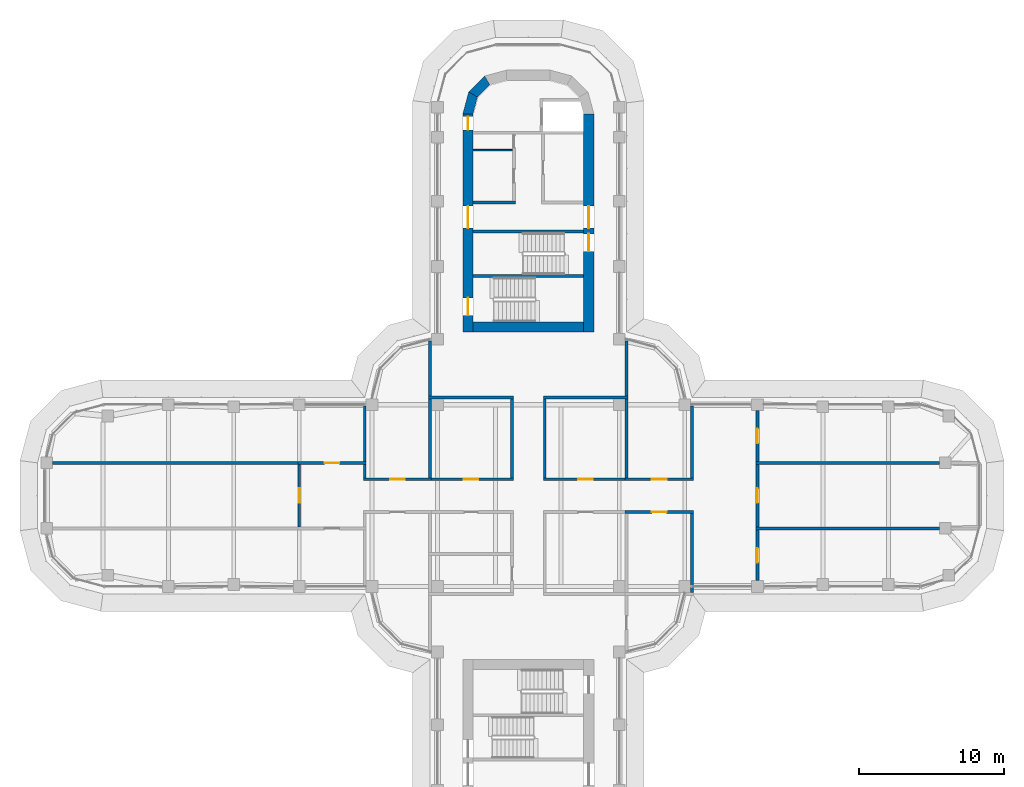
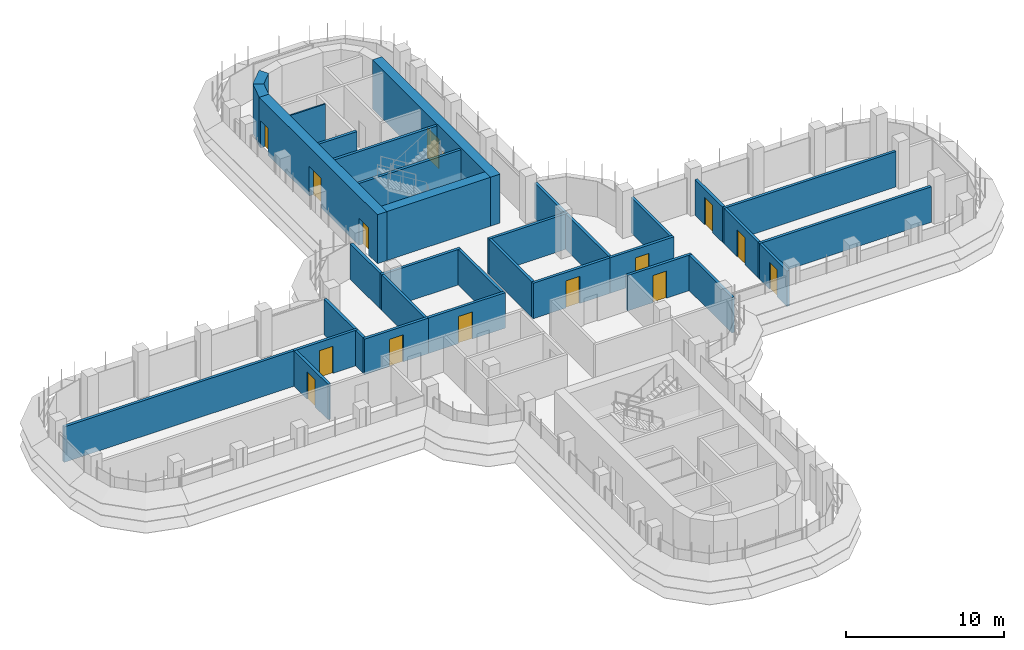
# One storey, part 14 of 19: 34 walls, 15 doors, 15 openings.
"""IFC4 building model written with IfcOpenShell, lengths in metres."""

from ifc_helpers import new_model, si_unit, direction, frame, frame_2d, origin, place, context, subcontext, project, spatial, polyline, rectangle, outline, extrude, material, layer, layer_set, type_object, element, fill, save


model = new_model("IFC4")

# Units and contexts
model_context = context("Model", 3, precision=1e-05, world=origin(), true_north=direction((0.0, 1.0)))
body_context = subcontext(model_context, "Body", "Model", "MODEL_VIEW")
ifc_project = project(units=[si_unit("LENGTHUNIT", "METRE"), si_unit("AREAUNIT", "SQUARE_METRE"), si_unit("VOLUMEUNIT", "CUBIC_METRE"), si_unit("PLANEANGLEUNIT", "RADIAN"), si_unit("MASSUNIT", "GRAM", prefix="KILO")], contexts=[model_context])

# Site, building, storey
site_placement = place(None, origin())
site = spatial("IfcSite", under=ifc_project, at=site_placement, CompositionType="ELEMENT")
building_placement = place(site_placement, origin())
building = spatial("IfcBuilding", under=site, at=building_placement, Name="Zarbagh Exchange Tower", CompositionType="ELEMENT")
storey_placement = place(building_placement, frame((0.0, 0.0, 175.199951171875)))
storey = spatial("IfcBuildingStorey", under=building, at=storey_placement, Name="L42", CompositionType="ELEMENT", Elevation=175.199951171875)

# Wall
ifc_material_1 = material(Name="Dense blockwork", Category="masonry")
ifc_layer_1 = layer(ifc_material_1, 0.10009765625)
ifc_layer_set_1 = layer_set([ifc_layer_1], Name="Core partition 100 mm blockwork")
wall_type_1 = type_object("IfcWallType", Name="Core partition 100 mm blockwork", PredefinedType="PARTITIONING", material=ifc_layer_set_1)
wall_1_placement = place(storey_placement, frame((-3.800048828125, 23.75, 0.0), z_axis=(0.0, 0.0, 1.0), x_axis=(1.0, 0.0, 0.0)))
element("IfcWall", 1, at=wall_1_placement, inside=storey, type_object=wall_type_1, Name="North core partition wall CUT-W-460", PredefinedType="PARTITIONING", context=body_context, shape_type="SweptSolid", body=[
    extrude(rectangle(XDim=2.699951171875, YDim=0.10009765625, at=frame_2d((1.35009765625, 0.0))), origin(), (0.0, 0.0, 1.0), 3.650146484375),
])

# Wall, opening, door
ifc_material_2 = material(Name="Fire-rated plasterboard partition")
ifc_layer_2 = layer(ifc_material_2, 0.199951171875)
ifc_layer_set_2 = layer_set([ifc_layer_2], Name="RATED PARTITION 200")
wall_type_2 = type_object("IfcWallType", Name="RATED PARTITION 200", PredefinedType="PARTITIONING", material=ifc_layer_set_2)
wall_2_placement = place(storey_placement, frame((1.02490234375, 1.125, 0.0), z_axis=(0.0, 0.0, 1.0), x_axis=(1.0, 0.0, 0.0)))
wall_2 = element("IfcWall", 2, at=wall_2_placement, inside=storey, type_object=wall_type_2, Name="Partition W-1801", PredefinedType="PARTITIONING", context=body_context, shape_type="SweptSolid", body=[
    extrude(rectangle(XDim=5.8251953125, YDim=0.199951171875, at=frame_2d((2.91259765625, 0.0))), origin(), (0.0, 0.0, 1.0), 2.75),
])
opening_1_placement = place(wall_2_placement, frame((2.41259765625, 0.0, 0.0)))
opening_1 = element("IfcOpeningElement", 3, at=opening_1_placement, cuts=wall_2, Name="Opening D-1804", PredefinedType="OPENING", context=body_context, shape_type="SweptSolid", body=[
    extrude(rectangle(XDim=1.0, YDim=2.10009765625, at=frame_2d((0.5, 1.050048828125))), frame((0.0, 0.10986328125, 0.0), z_axis=(0.0, -1.0, 0.0), x_axis=(1.0, 0.0, 0.0)), (0.0, 0.0, 1.0), 0.219970703125),
])
ifc_material_3 = material(Name="Steel door set", Category="steel")
door_type_1 = type_object("IfcDoorType", Name="FIRE DOOR 1000 X 2100 FD30S", OperationType="NOTDEFINED", PredefinedType="DOOR", material=ifc_material_3)
door_1_placement = place(opening_1_placement, origin())
door_1 = element("IfcDoor", 4, at=door_1_placement, inside=storey, type_object=door_type_1, Name="Door D-1804", OperationType="SINGLE_SWING_RIGHT", OverallHeight=2.10009765625, OverallWidth=1.0, PredefinedType="DOOR", context=body_context, shape_type="SweptSolid", body=[
    extrude(rectangle(XDim=1.0, YDim=2.10009765625, at=frame_2d((0.5, 1.050048828125))), frame((0.0, 0.02490234375, 0.0), z_axis=(0.0, -1.0, 0.0), x_axis=(1.0, 0.0, 0.0)), (0.0, 0.0, 1.0), 0.050048828125),
])
fill(opening_1, door_1)

wall_3_placement = place(storey_placement, frame((6.64990234375, 1.125, 0.0), z_axis=(0.0, 0.0, 1.0), x_axis=(1.0, 0.0, 0.0)))
wall_3 = element("IfcWall", 5, at=wall_3_placement, inside=storey, type_object=wall_type_2, Name="Partition W-1802", PredefinedType="PARTITIONING", context=body_context, shape_type="SweptSolid", body=[
    extrude(rectangle(XDim=4.7001953125, YDim=0.199951171875, at=frame_2d((2.35009765625, 0.0))), origin(), (0.0, 0.0, 1.0), 2.75),
])
opening_2_placement = place(wall_3_placement, frame((1.85009765625, 0.0, 0.0)))
opening_2 = element("IfcOpeningElement", 6, at=opening_2_placement, cuts=wall_3, Name="Opening D-1805", PredefinedType="OPENING", context=body_context, shape_type="SweptSolid", body=[
    extrude(rectangle(XDim=1.0, YDim=2.10009765625, at=frame_2d((0.5, 1.050048828125))), frame((0.0, 0.10986328125, 0.0), z_axis=(0.0, -1.0, 0.0), x_axis=(1.0, 0.0, 0.0)), (0.0, 0.0, 1.0), 0.219970703125),
])
door_2_placement = place(opening_2_placement, origin())
door_2 = element("IfcDoor", 7, at=door_2_placement, inside=storey, type_object=door_type_1, Name="Door D-1805", OperationType="SINGLE_SWING_RIGHT", OverallHeight=2.10009765625, OverallWidth=1.0, PredefinedType="DOOR", context=body_context, shape_type="SweptSolid", body=[
    extrude(rectangle(XDim=1.0, YDim=2.10009765625, at=frame_2d((0.5, 1.050048828125))), frame((0.0, 0.02490234375, 0.0), z_axis=(0.0, -1.0, 0.0), x_axis=(1.0, 0.0, 0.0)), (0.0, 0.0, 1.0), 0.050048828125),
])
fill(opening_2, door_2)

wall_4_placement = place(storey_placement, frame((-6.85009765625, 1.125, 0.0), z_axis=(0.0, 0.0, 1.0), x_axis=(1.0, 0.0, 0.0)))
wall_4 = element("IfcWall", 8, at=wall_4_placement, inside=storey, type_object=wall_type_2, Name="Partition W-1803", PredefinedType="PARTITIONING", context=body_context, shape_type="SweptSolid", body=[
    extrude(rectangle(XDim=5.8251953125, YDim=0.199951171875, at=frame_2d((2.91259765625, 0.0))), origin(), (0.0, 0.0, 1.0), 2.75),
])
opening_3_placement = place(wall_4_placement, frame((2.41259765625, 0.0, 0.0)))
opening_3 = element("IfcOpeningElement", 9, at=opening_3_placement, cuts=wall_4, Name="Opening D-1806", PredefinedType="OPENING", context=body_context, shape_type="SweptSolid", body=[
    extrude(rectangle(XDim=1.0, YDim=2.10009765625, at=frame_2d((0.5, 1.050048828125))), frame((0.0, 0.10986328125, 0.0), z_axis=(0.0, -1.0, 0.0), x_axis=(1.0, 0.0, 0.0)), (0.0, 0.0, 1.0), 0.219970703125),
])
door_3_placement = place(opening_3_placement, origin())
door_3 = element("IfcDoor", 10, at=door_3_placement, inside=storey, type_object=door_type_1, Name="Door D-1806", OperationType="SINGLE_SWING_RIGHT", OverallHeight=2.10009765625, OverallWidth=1.0, PredefinedType="DOOR", context=body_context, shape_type="SweptSolid", body=[
    extrude(rectangle(XDim=1.0, YDim=2.10009765625, at=frame_2d((0.5, 1.050048828125))), frame((0.0, 0.02490234375, 0.0), z_axis=(0.0, -1.0, 0.0), x_axis=(1.0, 0.0, 0.0)), (0.0, 0.0, 1.0), 0.050048828125),
])
fill(opening_3, door_3)

wall_5_placement = place(storey_placement, frame((-11.35009765625, 1.125, 0.0), z_axis=(0.0, 0.0, 1.0), x_axis=(1.0, 0.0, 0.0)))
wall_5 = element("IfcWall", 11, at=wall_5_placement, inside=storey, type_object=wall_type_2, Name="Partition W-1804", PredefinedType="PARTITIONING", context=body_context, shape_type="SweptSolid", body=[
    extrude(rectangle(XDim=4.7001953125, YDim=0.199951171875, at=frame_2d((2.35009765625, 0.0))), origin(), (0.0, 0.0, 1.0), 2.75),
])
opening_4_placement = place(wall_5_placement, frame((1.85009765625, 0.0, 0.0)))
opening_4 = element("IfcOpeningElement", 12, at=opening_4_placement, cuts=wall_5, Name="Opening D-1807", PredefinedType="OPENING", context=body_context, shape_type="SweptSolid", body=[
    extrude(rectangle(XDim=1.0, YDim=2.10009765625, at=frame_2d((0.5, 1.050048828125))), frame((0.0, 0.10986328125, 0.0), z_axis=(0.0, -1.0, 0.0), x_axis=(1.0, 0.0, 0.0)), (0.0, 0.0, 1.0), 0.219970703125),
])
door_4_placement = place(opening_4_placement, origin())
door_4 = element("IfcDoor", 13, at=door_4_placement, inside=storey, type_object=door_type_1, Name="Door D-1807", OperationType="SINGLE_SWING_RIGHT", OverallHeight=2.10009765625, OverallWidth=1.0, PredefinedType="DOOR", context=body_context, shape_type="SweptSolid", body=[
    extrude(rectangle(XDim=1.0, YDim=2.10009765625, at=frame_2d((0.5, 1.050048828125))), frame((0.0, 0.02490234375, 0.0), z_axis=(0.0, -1.0, 0.0), x_axis=(1.0, 0.0, 0.0)), (0.0, 0.0, 1.0), 0.050048828125),
])
fill(opening_4, door_4)

wall_6_placement = place(storey_placement, frame((11.35009765625, -1.125, 0.0), z_axis=(0.0, 0.0, 1.0), x_axis=(-1.0, 0.0, 0.0)))
wall_6 = element("IfcWall", 14, at=wall_6_placement, inside=storey, type_object=wall_type_2, Name="Partition W-1806", PredefinedType="PARTITIONING", context=body_context, shape_type="SweptSolid", body=[
    extrude(rectangle(XDim=4.7001953125, YDim=0.199951171875, at=frame_2d((2.35009765625, 0.0))), origin(), (0.0, 0.0, 1.0), 2.75),
])
opening_5_placement = place(wall_6_placement, frame((1.85009765625, 0.0, 0.0)))
opening_5 = element("IfcOpeningElement", 15, at=opening_5_placement, cuts=wall_6, Name="Opening D-1809", PredefinedType="OPENING", context=body_context, shape_type="SweptSolid", body=[
    extrude(rectangle(XDim=1.0, YDim=2.10009765625, at=frame_2d((0.5, 1.050048828125))), frame((0.0, 0.10986328125, 0.0), z_axis=(0.0, -1.0, 0.0), x_axis=(1.0, 0.0, 0.0)), (0.0, 0.0, 1.0), 0.219970703125),
])
door_5_placement = place(opening_5_placement, origin())
door_5 = element("IfcDoor", 16, at=door_5_placement, inside=storey, type_object=door_type_1, Name="Door D-1809", OperationType="SINGLE_SWING_RIGHT", OverallHeight=2.10009765625, OverallWidth=1.0, PredefinedType="DOOR", context=body_context, shape_type="SweptSolid", body=[
    extrude(rectangle(XDim=1.0, YDim=2.10009765625, at=frame_2d((0.5, 1.050048828125))), frame((0.0, 0.02490234375, 0.0), z_axis=(0.0, -1.0, 0.0), x_axis=(1.0, 0.0, 0.0)), (0.0, 0.0, 1.0), 0.050048828125),
])
fill(opening_5, door_5)

# Walls
for number, where, z_axis, x_axis, name in (
    (17, (1.125, 1.22509765625, 0.0), (0.0, 0.0, 1.0), (0.0, 1.0, 0.0), "Partition W-1809"),
    (18, (-1.125, 1.22509765625, 0.0), (0.0, 0.0, 1.0), (0.0, 1.0, 0.0), "Partition W-1810"),
):
    element("IfcWall", number, at=place(storey_placement, frame(where, z_axis=z_axis, x_axis=x_axis)), inside=storey, type_object=wall_type_2, Name=name, PredefinedType="PARTITIONING", context=body_context, shape_type="SweptSolid", body=[
        extrude(rectangle(XDim=5.4248046875, YDim=0.199951171875, at=frame_2d((2.71240234375, 0.0))), origin(), (0.0, 0.0, 1.0), 2.75),
    ])
wall_7_placement = place(storey_placement, frame((1.02490234375, 6.75, 0.0), z_axis=(0.0, 0.0, 1.0), x_axis=(1.0, 0.0, 0.0)))
element("IfcWall", 19, at=wall_7_placement, inside=storey, type_object=wall_type_2, Name="Partition W-1814", PredefinedType="PARTITIONING", context=body_context, shape_type="SweptSolid", body=[
    extrude(rectangle(XDim=5.8251953125, YDim=0.199951171875, at=frame_2d((2.91259765625, 0.0))), origin(), (0.0, 0.0, 1.0), 2.75),
])
wall_8_placement = place(storey_placement, frame((6.75, 6.85009765625, 0.0), z_axis=(0.0, 0.0, 1.0), x_axis=(0.0, 1.0, 0.0)))
element("IfcWall", 20, at=wall_8_placement, inside=storey, type_object=wall_type_2, Name="Partition W-1815", PredefinedType="PARTITIONING", context=body_context, shape_type="SweptSolid", body=[
    extrude(rectangle(XDim=3.77978515625, YDim=0.199951171875, at=frame_2d((1.889892578125, 0.0))), origin(), (0.0, 0.0, 1.0), 2.75),
])
wall_9_placement = place(storey_placement, frame((-6.85009765625, 6.75, 0.0), z_axis=(0.0, 0.0, 1.0), x_axis=(1.0, 0.0, 0.0)))
element("IfcWall", 21, at=wall_9_placement, inside=storey, type_object=wall_type_2, Name="Partition W-1816", PredefinedType="PARTITIONING", context=body_context, shape_type="SweptSolid", body=[
    extrude(rectangle(XDim=5.8251953125, YDim=0.199951171875, at=frame_2d((2.91259765625, 0.0))), origin(), (0.0, 0.0, 1.0), 2.75),
])
wall_10_placement = place(storey_placement, frame((-6.75, 6.85009765625, 0.0), z_axis=(0.0, 0.0, 1.0), x_axis=(0.0, 1.0, 0.0)))
element("IfcWall", 22, at=wall_10_placement, inside=storey, type_object=wall_type_2, Name="Partition W-1817", PredefinedType="PARTITIONING", context=body_context, shape_type="SweptSolid", body=[
    extrude(rectangle(XDim=3.77978515625, YDim=0.199951171875, at=frame_2d((1.889892578125, 0.0))), origin(), (0.0, 0.0, 1.0), 2.75),
])
wall_11_placement = place(storey_placement, frame((6.75, 1.22509765625, 0.0), z_axis=(0.0, 0.0, 1.0), x_axis=(0.0, 1.0, 0.0)))
element("IfcWall", 23, at=wall_11_placement, inside=storey, type_object=wall_type_2, Name="Partition W-1822", PredefinedType="PARTITIONING", context=body_context, shape_type="SweptSolid", body=[
    extrude(rectangle(XDim=5.4248046875, YDim=0.199951171875, at=frame_2d((2.71240234375, 0.0))), origin(), (0.0, 0.0, 1.0), 2.75),
])
wall_12_placement = place(storey_placement, frame((11.25, 1.22509765625, 0.0), z_axis=(0.0, 0.0, 1.0), x_axis=(0.0, 1.0, 0.0)))
element("IfcWall", 24, at=wall_12_placement, inside=storey, type_object=wall_type_2, Name="Partition W-1823", PredefinedType="PARTITIONING", context=body_context, shape_type="SweptSolid", body=[
    extrude(rectangle(XDim=4.94482421875, YDim=0.199951171875, at=frame_2d((2.472412109375, 0.0))), origin(), (0.0, 0.0, 1.0), 2.75),
])
wall_13_placement = place(storey_placement, frame((-6.75, 1.22509765625, 0.0), z_axis=(0.0, 0.0, 1.0), x_axis=(0.0, 1.0, 0.0)))
element("IfcWall", 25, at=wall_13_placement, inside=storey, type_object=wall_type_2, Name="Partition W-1824", PredefinedType="PARTITIONING", context=body_context, shape_type="SweptSolid", body=[
    extrude(rectangle(XDim=5.4248046875, YDim=0.199951171875, at=frame_2d((2.71240234375, 0.0))), origin(), (0.0, 0.0, 1.0), 2.75),
])
wall_14_placement = place(storey_placement, frame((-11.25, 1.22509765625, 0.0), z_axis=(0.0, 0.0, 1.0), x_axis=(0.0, 1.0, 0.0)))
element("IfcWall", 26, at=wall_14_placement, inside=storey, type_object=wall_type_2, Name="Partition W-1825", PredefinedType="PARTITIONING", context=body_context, shape_type="SweptSolid", body=[
    extrude(rectangle(XDim=0.9248046875, YDim=0.199951171875, at=frame_2d((0.46240234375, 0.0))), origin(), (0.0, 0.0, 1.0), 2.75),
])
wall_15_placement = place(storey_placement, frame((-11.25, 2.35009765625, 0.0), z_axis=(0.0, 0.0, 1.0), x_axis=(0.0, 1.0, 0.0)))
element("IfcWall", 27, at=wall_15_placement, inside=storey, type_object=wall_type_2, Name="Partition W-1826", PredefinedType="PARTITIONING", context=body_context, shape_type="SweptSolid", body=[
    extrude(rectangle(XDim=3.81982421875, YDim=0.199951171875, at=frame_2d((1.909912109375, 0.0))), origin(), (0.0, 0.0, 1.0), 2.75),
])
wall_16_placement = place(storey_placement, frame((11.25, -6.64990234375, 0.0), z_axis=(0.0, 0.0, 1.0), x_axis=(0.0, 1.0, 0.0)))
element("IfcWall", 28, at=wall_16_placement, inside=storey, type_object=wall_type_2, Name="Partition W-1829", PredefinedType="PARTITIONING", context=body_context, shape_type="SweptSolid", body=[
    extrude(rectangle(XDim=5.4248046875, YDim=0.199951171875, at=frame_2d((2.71240234375, 0.0))), origin(), (0.0, 0.0, 1.0), 2.75),
])

# Wall, opening, door
wall_17_placement = place(storey_placement, frame((15.75, -2.35009765625, 0.0), z_axis=(0.0, 0.0, 1.0), x_axis=(0.0, -1.0, 0.0)))
wall_17 = element("IfcWall", 29, at=wall_17_placement, inside=storey, type_object=wall_type_2, Name="Partition W-1835", PredefinedType="PARTITIONING", context=body_context, shape_type="SweptSolid", body=[
    extrude(rectangle(XDim=3.5, YDim=0.199951171875, at=frame_2d((1.75, 0.0))), origin(), (0.0, 0.0, 1.0), 2.75),
])
opening_6_placement = place(wall_17_placement, frame((1.25, 0.0, 0.0)))
opening_6 = element("IfcOpeningElement", 30, at=opening_6_placement, cuts=wall_17, Name="Opening D-1801", PredefinedType="OPENING", context=body_context, shape_type="SweptSolid", body=[
    extrude(rectangle(XDim=1.0, YDim=2.10009765625, at=frame_2d((0.5, 1.050048828125))), frame((0.0, 0.10986328125, 0.0), z_axis=(0.0, -1.0, 0.0), x_axis=(1.0, 0.0, 0.0)), (0.0, 0.0, 1.0), 0.219970703125),
])
door_6_placement = place(opening_6_placement, origin())
door_6 = element("IfcDoor", 31, at=door_6_placement, inside=storey, type_object=door_type_1, Name="Door D-1801", OperationType="SINGLE_SWING_LEFT", OverallHeight=2.10009765625, OverallWidth=1.0, PredefinedType="DOOR", context=body_context, shape_type="SweptSolid", body=[
    extrude(rectangle(XDim=1.0, YDim=2.10009765625, at=frame_2d((0.5, 1.050048828125))), frame((0.0, 0.02490234375, 0.0), z_axis=(0.0, -1.0, 0.0), x_axis=(1.0, 0.0, 0.0)), (0.0, 0.0, 1.0), 0.050048828125),
])
fill(opening_6, door_6)

wall_18_placement = place(storey_placement, frame((15.75, 2.14990234375, 0.0), z_axis=(0.0, 0.0, 1.0), x_axis=(0.0, -1.0, 0.0)))
wall_18 = element("IfcWall", 32, at=wall_18_placement, inside=storey, type_object=wall_type_2, Name="Partition W-1836", PredefinedType="PARTITIONING", context=body_context, shape_type="SweptSolid", body=[
    extrude(rectangle(XDim=4.2998046875, YDim=0.199951171875, at=frame_2d((2.14990234375, 0.0))), origin(), (0.0, 0.0, 1.0), 2.75),
])
opening_7_placement = place(wall_18_placement, frame((1.64990234375, 0.0, 0.0)))
opening_7 = element("IfcOpeningElement", 33, at=opening_7_placement, cuts=wall_18, Name="Opening D-1802", PredefinedType="OPENING", context=body_context, shape_type="SweptSolid", body=[
    extrude(rectangle(XDim=1.0, YDim=2.10009765625, at=frame_2d((0.5, 1.050048828125))), frame((0.0, 0.10986328125, 0.0), z_axis=(0.0, -1.0, 0.0), x_axis=(1.0, 0.0, 0.0)), (0.0, 0.0, 1.0), 0.219970703125),
])
door_7_placement = place(opening_7_placement, origin())
door_7 = element("IfcDoor", 34, at=door_7_placement, inside=storey, type_object=door_type_1, Name="Door D-1802", OperationType="SINGLE_SWING_RIGHT", OverallHeight=2.10009765625, OverallWidth=1.0, PredefinedType="DOOR", context=body_context, shape_type="SweptSolid", body=[
    extrude(rectangle(XDim=1.0, YDim=2.10009765625, at=frame_2d((0.5, 1.050048828125))), frame((0.0, 0.02490234375, 0.0), z_axis=(0.0, -1.0, 0.0), x_axis=(1.0, 0.0, 0.0)), (0.0, 0.0, 1.0), 0.050048828125),
])
fill(opening_7, door_7)

wall_19_placement = place(storey_placement, frame((15.75, 5.85009765625, 0.0), z_axis=(0.0, 0.0, 1.0), x_axis=(0.0, -1.0, 0.0)))
wall_19 = element("IfcWall", 35, at=wall_19_placement, inside=storey, type_object=wall_type_2, Name="Partition W-1837", PredefinedType="PARTITIONING", context=body_context, shape_type="SweptSolid", body=[
    extrude(rectangle(XDim=3.5, YDim=0.199951171875, at=frame_2d((1.75, 0.0))), origin(), (0.0, 0.0, 1.0), 2.75),
])
opening_8_placement = place(wall_19_placement, frame((1.25, 0.0, 0.0)))
opening_8 = element("IfcOpeningElement", 36, at=opening_8_placement, cuts=wall_19, Name="Opening D-1803", PredefinedType="OPENING", context=body_context, shape_type="SweptSolid", body=[
    extrude(rectangle(XDim=1.0, YDim=2.10009765625, at=frame_2d((0.5, 1.050048828125))), frame((0.0, 0.10986328125, 0.0), z_axis=(0.0, -1.0, 0.0), x_axis=(1.0, 0.0, 0.0)), (0.0, 0.0, 1.0), 0.219970703125),
])
door_8_placement = place(opening_8_placement, origin())
door_8 = element("IfcDoor", 37, at=door_8_placement, inside=storey, type_object=door_type_1, Name="Door D-1803", OperationType="SINGLE_SWING_RIGHT", OverallHeight=2.10009765625, OverallWidth=1.0, PredefinedType="DOOR", context=body_context, shape_type="SweptSolid", body=[
    extrude(rectangle(XDim=1.0, YDim=2.10009765625, at=frame_2d((0.5, 1.050048828125))), frame((0.0, 0.02490234375, 0.0), z_axis=(0.0, -1.0, 0.0), x_axis=(1.0, 0.0, 0.0)), (0.0, 0.0, 1.0), 0.050048828125),
])
fill(opening_8, door_8)

# Walls
for number, where, z_axis, x_axis, name in (
    (38, (15.64990234375, -2.25, 0.0), (0.0, 0.0, 1.0), (1.0, 0.0, 0.0), "Partition W-1838"),
    (39, (15.64990234375, 2.25, 0.0), (0.0, 0.0, 1.0), (1.0, 0.0, 0.0), "Partition W-1840"),
):
    element("IfcWall", number, at=place(storey_placement, frame(where, z_axis=z_axis, x_axis=x_axis)), inside=storey, type_object=wall_type_2, Name=name, PredefinedType="PARTITIONING", context=body_context, shape_type="SweptSolid", body=[
        extrude(rectangle(XDim=12.6201171875, YDim=0.199951171875, at=frame_2d((6.31005859375, 0.0))), origin(), (0.0, 0.0, 1.0), 2.75),
    ])

# Wall, opening, door
wall_20_placement = place(storey_placement, frame((-15.85009765625, 2.25, 0.0), z_axis=(0.0, 0.0, 1.0), x_axis=(1.0, 0.0, 0.0)))
wall_20 = element("IfcWall", 40, at=wall_20_placement, inside=storey, type_object=wall_type_2, Name="Partition W-1842", PredefinedType="PARTITIONING", context=body_context, shape_type="SweptSolid", body=[
    extrude(rectangle(XDim=4.7001953125, YDim=0.199951171875, at=frame_2d((2.35009765625, 0.0))), origin(), (0.0, 0.0, 1.0), 2.75),
])
opening_9_placement = place(wall_20_placement, frame((1.85009765625, 0.0, 0.0)))
opening_9 = element("IfcOpeningElement", 41, at=opening_9_placement, cuts=wall_20, Name="Opening D-1815", PredefinedType="OPENING", context=body_context, shape_type="SweptSolid", body=[
    extrude(rectangle(XDim=1.0, YDim=2.10009765625, at=frame_2d((0.5, 1.050048828125))), frame((0.0, 0.10986328125, 0.0), z_axis=(0.0, -1.0, 0.0), x_axis=(1.0, 0.0, 0.0)), (0.0, 0.0, 1.0), 0.219970703125),
])
door_9_placement = place(opening_9_placement, origin())
door_9 = element("IfcDoor", 42, at=door_9_placement, inside=storey, type_object=door_type_1, Name="Door D-1815", OperationType="SINGLE_SWING_RIGHT", OverallHeight=2.10009765625, OverallWidth=1.0, PredefinedType="DOOR", context=body_context, shape_type="SweptSolid", body=[
    extrude(rectangle(XDim=1.0, YDim=2.10009765625, at=frame_2d((0.5, 1.050048828125))), frame((0.0, 0.02490234375, 0.0), z_axis=(0.0, -1.0, 0.0), x_axis=(1.0, 0.0, 0.0)), (0.0, 0.0, 1.0), 0.050048828125),
])
fill(opening_9, door_9)

wall_21_placement = place(storey_placement, frame((-15.75, -2.14990234375, 0.0), z_axis=(0.0, 0.0, 1.0), x_axis=(0.0, 1.0, 0.0)))
wall_21 = element("IfcWall", 43, at=wall_21_placement, inside=storey, type_object=wall_type_2, Name="Partition W-1844", PredefinedType="PARTITIONING", context=body_context, shape_type="SweptSolid", body=[
    extrude(rectangle(XDim=4.2998046875, YDim=0.199951171875, at=frame_2d((2.14990234375, 0.0))), origin(), (0.0, 0.0, 1.0), 2.75),
])
opening_10_placement = place(wall_21_placement, frame((1.64990234375, 0.0, 0.0)))
opening_10 = element("IfcOpeningElement", 44, at=opening_10_placement, cuts=wall_21, Name="Opening D-1814", PredefinedType="OPENING", context=body_context, shape_type="SweptSolid", body=[
    extrude(rectangle(XDim=1.0, YDim=2.10009765625, at=frame_2d((0.5, 1.050048828125))), frame((0.0, 0.10986328125, 0.0), z_axis=(0.0, -1.0, 0.0), x_axis=(1.0, 0.0, 0.0)), (0.0, 0.0, 1.0), 0.219970703125),
])
door_10_placement = place(opening_10_placement, origin())
door_10 = element("IfcDoor", 45, at=door_10_placement, inside=storey, type_object=door_type_1, Name="Door D-1814", OperationType="SINGLE_SWING_RIGHT", OverallHeight=2.10009765625, OverallWidth=1.0, PredefinedType="DOOR", context=body_context, shape_type="SweptSolid", body=[
    extrude(rectangle(XDim=1.0, YDim=2.10009765625, at=frame_2d((0.5, 1.050048828125))), frame((0.0, 0.02490234375, 0.0), z_axis=(0.0, -1.0, 0.0), x_axis=(1.0, 0.0, 0.0)), (0.0, 0.0, 1.0), 0.050048828125),
])
fill(opening_10, door_10)

# Walls
wall_22_placement = place(storey_placement, frame((-32.7099609375, 2.25, 0.0), z_axis=(0.0, 0.0, 1.0), x_axis=(1.0, 0.0, 0.0)))
element("IfcWall", 46, at=wall_22_placement, inside=storey, type_object=wall_type_2, Name="Partition W-1845", PredefinedType="PARTITIONING", context=body_context, shape_type="SweptSolid", body=[
    extrude(rectangle(XDim=17.06005859375, YDim=0.199951171875, at=frame_2d((8.530029296875, 0.0))), origin(), (0.0, 0.0, 1.0), 2.75),
])
ifc_material_4 = material(Name="Concrete C50/60", Category="concrete")
ifc_layer_3 = layer(ifc_material_4, 0.699951171875)
ifc_layer_set_3 = layer_set([ifc_layer_3], Name="RC core corner wall 700 C50/60")
wall_type_3 = type_object("IfcWallType", Name="RC core corner wall 700 C50/60", PredefinedType="SHEAR", material=ifc_layer_set_3)
wall_23_placement = place(storey_placement, origin())
element("IfcWall", 47, at=wall_23_placement, inside=storey, type_object=wall_type_3, Name="CW6 core N corner W", PredefinedType="SHEAR", context=body_context, shape_type="SweptSolid", body=[
    extrude(outline(polyline([(-4.5, 26.25), (-4.09814453125, 27.75), (-3.491943359375, 27.39990234375), (-3.800048828125, 26.25), (-4.5, 26.25)])), origin(), (0.0, 0.0, 1.0), 3.800048828125),
])
wall_24_placement = place(storey_placement, origin())
element("IfcWall", 48, at=wall_24_placement, inside=storey, type_object=wall_type_3, Name="CW6 core N corner W", PredefinedType="SHEAR", context=body_context, shape_type="SweptSolid", body=[
    extrude(outline(polyline([(-4.09814453125, 27.75), (-3.0, 28.84814453125), (-2.64990234375, 28.241943359375), (-3.491943359375, 27.39990234375), (-4.09814453125, 27.75)])), origin(), (0.0, 0.0, 1.0), 3.800048828125),
])

# Wall, openings, doors
ifc_layer_4 = layer(ifc_material_4, 0.699951171875)
ifc_layer_set_4 = layer_set([ifc_layer_4], Name="RC core wall 700 C50/60")
wall_type_4 = type_object("IfcWallType", Name="RC core wall 700 C50/60", PredefinedType="SHEAR", material=ifc_layer_set_4)
wall_25_placement = place(storey_placement, frame((-4.14990234375, 11.25, 0.0), z_axis=(0.0, 0.0, 1.0), x_axis=(0.0, 1.0, 0.0)))
wall_25 = element("IfcWall", 49, at=wall_25_placement, inside=storey, type_object=wall_type_4, Name="CW5 core N W", PredefinedType="SHEAR", context=body_context, shape_type="SweptSolid", body=[
    extrude(rectangle(XDim=15.0, YDim=0.699951171875, at=frame_2d((7.5, 0.0))), origin(), (0.0, 0.0, 1.0), 3.800048828125),
])
opening_11_placement = place(wall_25_placement, frame((7.14990234375, 0.0, 0.0)))
opening_11 = element("IfcOpeningElement", 50, at=opening_11_placement, cuts=wall_25, Name="Opening CD1-1500", PredefinedType="OPENING", context=body_context, shape_type="SweptSolid", body=[
    extrude(rectangle(XDim=1.5, YDim=2.300048828125, at=frame_2d((0.75, 1.14990234375))), frame((0.0, 0.35986328125, 0.0), z_axis=(0.0, -1.0, 0.0), x_axis=(1.0, 0.0, 0.0)), (0.0, 0.0, 1.0), 0.719970703125),
])
opening_12_placement = place(wall_25_placement, frame((13.89990234375, 0.0, 0.0)))
opening_12 = element("IfcOpeningElement", 51, at=opening_12_placement, cuts=wall_25, Name="Opening CD2-900", PredefinedType="OPENING", context=body_context, shape_type="SweptSolid", body=[
    extrude(rectangle(XDim=0.89990234375, YDim=2.10009765625, at=frame_2d((0.449951171875, 1.050048828125))), frame((0.0, 0.35986328125, 0.0), z_axis=(0.0, -1.0, 0.0), x_axis=(1.0, 0.0, 0.0)), (0.0, 0.0, 1.0), 0.719970703125),
])
opening_13_placement = place(wall_25_placement, frame((1.14990234375, 0.0, 0.0)))
opening_13 = element("IfcOpeningElement", 52, at=opening_13_placement, cuts=wall_25, Name="Opening SD1-1200", PredefinedType="OPENING", context=body_context, shape_type="SweptSolid", body=[
    extrude(rectangle(XDim=1.199951171875, YDim=2.10009765625, at=frame_2d((0.60009765625, 1.050048828125))), frame((0.0, 0.35986328125, 0.0), z_axis=(0.0, -1.0, 0.0), x_axis=(1.0, 0.0, 0.0)), (0.0, 0.0, 1.0), 0.719970703125),
])
ifc_material_5 = material(Name="Steel", Category="steel")
door_type_2 = type_object("IfcDoorType", Name="Exit stair door 1200 x 2100", OperationType="NOTDEFINED", PredefinedType="DOOR", material=ifc_material_5)
door_11_placement = place(opening_13_placement, origin())
door_11 = element("IfcDoor", 53, at=door_11_placement, inside=storey, type_object=door_type_2, Name="North core stair door ST2", OperationType="SINGLE_SWING_RIGHT", OverallHeight=2.10009765625, OverallWidth=1.199951171875, PredefinedType="DOOR", context=body_context, shape_type="SweptSolid", body=[
    extrude(rectangle(XDim=1.199951171875, YDim=2.10009765625, at=frame_2d((0.60009765625, 1.050048828125))), frame((0.0, 0.02490234375, 0.0), z_axis=(0.0, -1.0, 0.0), x_axis=(1.0, 0.0, 0.0)), (0.0, 0.0, 1.0), 0.050048828125),
])
fill(opening_13, door_11)
door_type_3 = type_object("IfcDoorType", Name="Firefighting lobby door 900 x 2100", OperationType="NOTDEFINED", PredefinedType="DOOR", material=ifc_material_5)
door_12_placement = place(opening_12_placement, origin())
door_12 = element("IfcDoor", 54, at=door_12_placement, inside=storey, type_object=door_type_3, Name="North core firefighting lobby door FF-W", OperationType="SINGLE_SWING_RIGHT", OverallHeight=2.10009765625, OverallWidth=0.89990234375, PredefinedType="DOOR", context=body_context, shape_type="SweptSolid", body=[
    extrude(rectangle(XDim=0.89990234375, YDim=2.10009765625, at=frame_2d((0.449951171875, 1.050048828125))), frame((0.0, 0.02490234375, 0.0), z_axis=(0.0, -1.0, 0.0), x_axis=(1.0, 0.0, 0.0)), (0.0, 0.0, 1.0), 0.050048828125),
])
fill(opening_12, door_12)
door_type_4 = type_object("IfcDoorType", Name="Lift lobby double door 1500 x 2300", OperationType="NOTDEFINED", PredefinedType="DOOR", material=ifc_material_5)
door_13_placement = place(opening_11_placement, origin())
door_13 = element("IfcDoor", 55, at=door_13_placement, inside=storey, type_object=door_type_4, Name="North core lift lobby door LOBBY-W", OperationType="DOUBLE_DOOR_SINGLE_SWING", OverallHeight=2.300048828125, OverallWidth=1.5, PredefinedType="DOOR", context=body_context, shape_type="SweptSolid", body=[
    extrude(rectangle(XDim=1.5, YDim=2.300048828125, at=frame_2d((0.75, 1.14990234375))), frame((0.0, 0.02490234375, 0.0), z_axis=(0.0, -1.0, 0.0), x_axis=(1.0, 0.0, 0.0)), (0.0, 0.0, 1.0), 0.050048828125),
])
fill(opening_11, door_13)

wall_26_placement = place(storey_placement, frame((4.14990234375, 11.25, 0.0), z_axis=(0.0, 0.0, 1.0), x_axis=(0.0, 1.0, 0.0)))
wall_26 = element("IfcWall", 56, at=wall_26_placement, inside=storey, type_object=wall_type_4, Name="CW5 core N E", PredefinedType="SHEAR", context=body_context, shape_type="SweptSolid", body=[
    extrude(rectangle(XDim=15.0, YDim=0.699951171875, at=frame_2d((7.5, 0.0))), origin(), (0.0, 0.0, 1.0), 3.800048828125),
])
opening_14_placement = place(wall_26_placement, frame((7.14990234375, 0.0, 0.0)))
opening_14 = element("IfcOpeningElement", 57, at=opening_14_placement, cuts=wall_26, Name="Opening CD1-1500", PredefinedType="OPENING", context=body_context, shape_type="SweptSolid", body=[
    extrude(rectangle(XDim=1.5, YDim=2.300048828125, at=frame_2d((0.75, 1.14990234375))), frame((0.0, 0.35986328125, 0.0), z_axis=(0.0, -1.0, 0.0), x_axis=(1.0, 0.0, 0.0)), (0.0, 0.0, 1.0), 0.719970703125),
])
opening_15_placement = place(wall_26_placement, frame((5.550048828125, 0.0, 0.0)))
opening_15 = element("IfcOpeningElement", 58, at=opening_15_placement, cuts=wall_26, Name="Opening SD1-1200", PredefinedType="OPENING", context=body_context, shape_type="SweptSolid", body=[
    extrude(rectangle(XDim=1.199951171875, YDim=2.10009765625, at=frame_2d((0.60009765625, 1.050048828125))), frame((0.0, 0.35986328125, 0.0), z_axis=(0.0, -1.0, 0.0), x_axis=(1.0, 0.0, 0.0)), (0.0, 0.0, 1.0), 0.719970703125),
])
door_14_placement = place(opening_15_placement, origin())
door_14 = element("IfcDoor", 59, at=door_14_placement, inside=storey, type_object=door_type_2, Name="North core stair door ST1", OperationType="SINGLE_SWING_LEFT", OverallHeight=2.10009765625, OverallWidth=1.199951171875, PredefinedType="DOOR", context=body_context, shape_type="SweptSolid", body=[
    extrude(rectangle(XDim=1.199951171875, YDim=2.10009765625, at=frame_2d((0.60009765625, 1.050048828125))), frame((0.0, 0.02490234375, 0.0), z_axis=(0.0, -1.0, 0.0), x_axis=(1.0, 0.0, 0.0)), (0.0, 0.0, 1.0), 0.050048828125),
])
fill(opening_15, door_14)
door_15_placement = place(opening_14_placement, origin())
door_15 = element("IfcDoor", 60, at=door_15_placement, inside=storey, type_object=door_type_4, Name="North core lift lobby door LOBBY-E", OperationType="DOUBLE_DOOR_SINGLE_SWING", OverallHeight=2.300048828125, OverallWidth=1.5, PredefinedType="DOOR", context=body_context, shape_type="SweptSolid", body=[
    extrude(rectangle(XDim=1.5, YDim=2.300048828125, at=frame_2d((0.75, 1.14990234375))), frame((0.0, 0.02490234375, 0.0), z_axis=(0.0, -1.0, 0.0), x_axis=(1.0, 0.0, 0.0)), (0.0, 0.0, 1.0), 0.050048828125),
])
fill(opening_14, door_15)

# Walls
wall_27_placement = place(storey_placement, frame((-3.800048828125, 11.60009765625, 0.0), z_axis=(0.0, 0.0, 1.0), x_axis=(1.0, 0.0, 0.0)))
element("IfcWall", 61, at=wall_27_placement, inside=storey, type_object=wall_type_4, Name="CW5 core N inner end", PredefinedType="SHEAR", context=body_context, shape_type="SweptSolid", body=[
    extrude(rectangle(XDim=7.60009765625, YDim=0.699951171875, at=frame_2d((3.800048828125, 0.0))), origin(), (0.0, 0.0, 1.0), 3.800048828125),
])
ifc_layer_5 = layer(ifc_material_1, 0.199951171875)
ifc_layer_set_5 = layer_set([ifc_layer_5], Name="Shaft wall 200 mm blockwork")
wall_type_5 = type_object("IfcWallType", Name="Shaft wall 200 mm blockwork", PredefinedType="PARTITIONING", material=ifc_layer_set_5)
wall_28_placement = place(storey_placement, frame((-3.800048828125, 20.14990234375, 0.0), z_axis=(0.0, 0.0, 1.0), x_axis=(1.0, 0.0, 0.0)))
element("IfcWall", 62, at=wall_28_placement, inside=storey, type_object=wall_type_5, Name="North core shaft wall AB-W", PredefinedType="PARTITIONING", context=body_context, shape_type="SweptSolid", body=[
    extrude(rectangle(XDim=2.900146484375, YDim=0.199951171875, at=frame_2d((1.4501953125, 0.0))), origin(), (0.0, 0.0, 1.0), 3.650146484375),
])
ifc_material_6 = material(Name="Concrete C40/50", Category="concrete")
ifc_layer_6 = layer(ifc_material_6, 0.199951171875)
ifc_layer_set_6 = layer_set([ifc_layer_6], Name="Stair enclosure wall 200 mm RC C40/50")
wall_type_6 = type_object("IfcWallType", Name="Stair enclosure wall 200 mm RC C40/50", PredefinedType="SHEAR", material=ifc_layer_set_6)
for number, where, z_axis, x_axis, name in (
    (63, (-3.800048828125, 18.14990234375, 0.0), (0.0, 0.0, 1.0), (1.0, 0.0, 0.0), "North core stair wall BS"),
    (64, (-3.800048828125, 15.10009765625, 0.0), (0.0, 0.0, 1.0), (1.0, 0.0, 0.0), "North core stair wall ST12"),
):
    element("IfcWall", number, at=place(storey_placement, frame(where, z_axis=z_axis, x_axis=x_axis)), inside=storey, type_object=wall_type_6, Name=name, PredefinedType="SHEAR", context=body_context, shape_type="SweptSolid", body=[
        extrude(rectangle(XDim=7.60009765625, YDim=0.199951171875, at=frame_2d((3.800048828125, 0.0))), origin(), (0.0, 0.0, 1.0), 3.650146484375),
    ])

save(model, "model.ifc")
